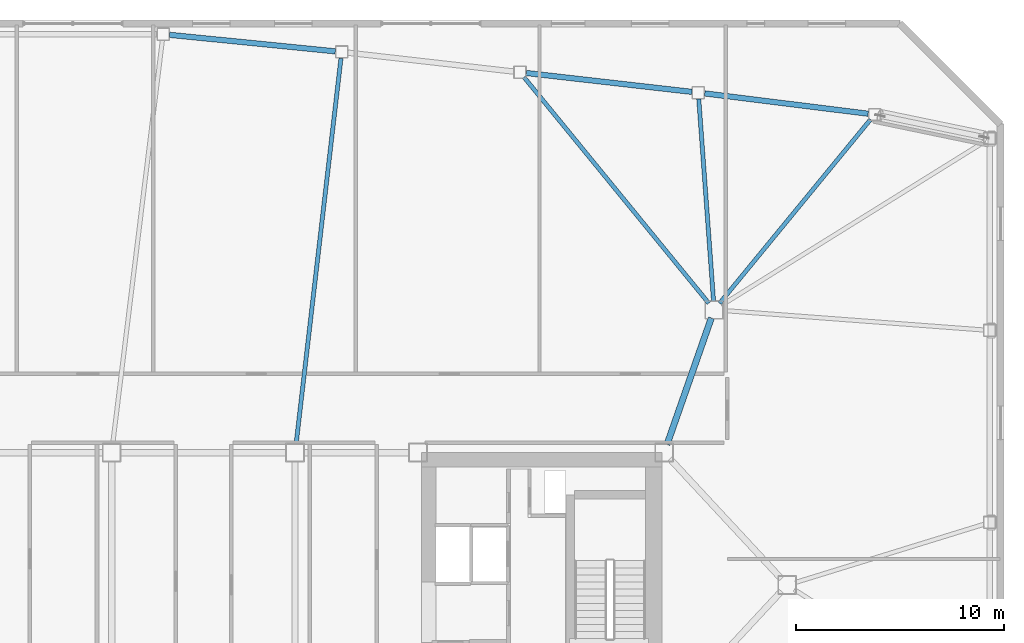
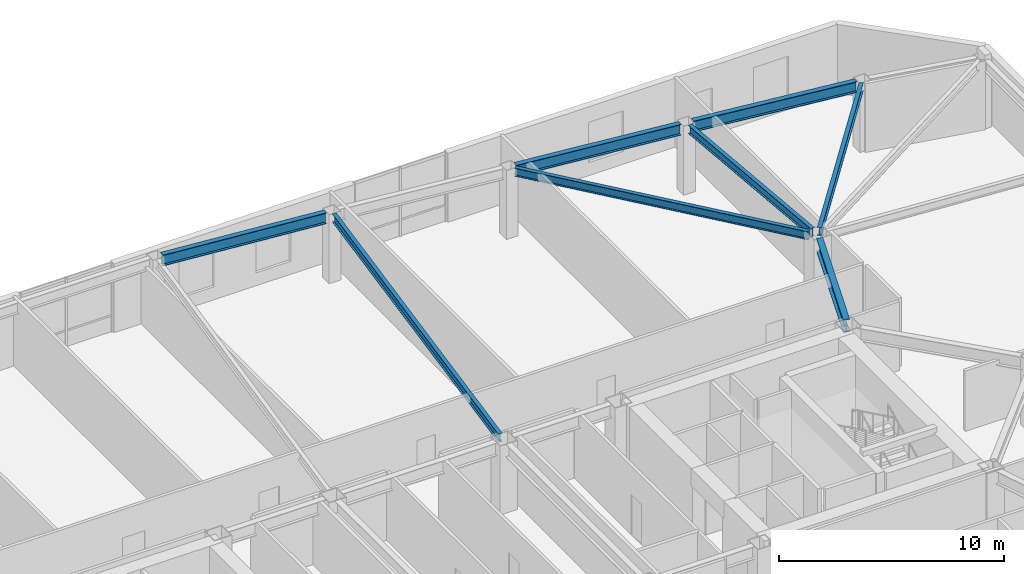
# One storey, part 6 of 16: 8 beams.
"""IFC4 building model written with IfcOpenShell, lengths in metres."""

from ifc_helpers import new_model, si_unit, direction, frame, origin, origin_2d, place, context, subcontext, project, spatial, i_section, extrude, material, material_profile, profile_set, type_object, element, save


model = new_model("IFC4")

# Units and contexts
model_context = context("Model", 3, precision=1e-05, world=origin(), true_north=direction((0.0, 1.0)))
body_context = subcontext(model_context, "Body", "Model", "MODEL_VIEW")
ifc_project = project(units=[si_unit("LENGTHUNIT", "METRE"), si_unit("AREAUNIT", "SQUARE_METRE"), si_unit("VOLUMEUNIT", "CUBIC_METRE"), si_unit("PLANEANGLEUNIT", "RADIAN"), si_unit("MASSUNIT", "GRAM", prefix="KILO")], contexts=[model_context])

# Site, building, storey
site_placement = place(None, origin())
site = spatial("IfcSite", under=ifc_project, at=site_placement, CompositionType="ELEMENT")
building_placement = place(site_placement, origin())
building = spatial("IfcBuilding", under=site, at=building_placement, Name="Tavrogorsk Clinical Tower", CompositionType="ELEMENT")
storey_placement = place(building_placement, frame((0.0, 0.0, 164.199951171875)))
storey = spatial("IfcBuildingStorey", under=building, at=storey_placement, Name="L37", CompositionType="ELEMENT", Elevation=164.199951171875)

# Beams
ifc_material_1 = material(Name="Structural steel S355", Category="steel")
ifc_material_profile_1 = material_profile(ifc_material_1, i_section(OverallWidth=0.199951171875, OverallDepth=0.449951171875, WebThickness=0.011474609375, FlangeThickness=0.01806640625, at=origin_2d()), Name="B-450x200x11.5x18")
ifc_profile_set_1 = profile_set([ifc_material_profile_1], Name="Structural steel S355")
beam_type_1 = type_object("IfcBeamType", Name="FloorBeam_B450", PredefinedType="BEAM", material=ifc_profile_set_1)
beam_1_placement = place(storey_placement, frame((24.76025390625, 13.516845703125, 3.51513671875), z_axis=(0.634632561694, 0.772814021377, 0.0), x_axis=(-0.772814021377, 0.634632561694, 0.0)))
element("IfcBeam", 1, at=beam_1_placement, inside=storey, type_object=beam_type_1, Name="L37 Radial Floor Beam N1", PredefinedType="BEAM", context=body_context, shape_type="SweptSolid", body=[
    extrude(i_section(OverallWidth=0.199951171875, OverallDepth=0.449951171875, WebThickness=0.011474609375, FlangeThickness=0.01806640625, at=origin_2d()), origin(), (0.0, 0.0, 1.0), 11.401123046875),
])
beam_2_placement = place(storey_placement, frame((24.469970703125, 13.60888671875, 3.51513671875), z_axis=(-0.072959198524, 0.997334926367, 0.0), x_axis=(-0.997334926367, -0.072959198524, 0.0)))
element("IfcBeam", 2, at=beam_2_placement, inside=storey, type_object=beam_type_1, Name="L37 Radial Floor Beam N2", PredefinedType="BEAM", context=body_context, shape_type="SweptSolid", body=[
    extrude(i_section(OverallWidth=0.199951171875, OverallDepth=0.449951171875, WebThickness=0.011474609375, FlangeThickness=0.01806640625, at=origin_2d()), origin(), (0.0, 0.0, 1.0), 9.7275390625),
])
beam_3_placement = place(storey_placement, frame((24.240478515625, 13.517333984375, 3.51513671875), z_axis=(-0.632957552123, 0.774186500277, 0.0), x_axis=(-0.774186500277, -0.632957552123, 0.0)))
element("IfcBeam", 3, at=beam_3_placement, inside=storey, type_object=beam_type_1, Name="L37 Radial Floor Beam N3", PredefinedType="BEAM", context=body_context, shape_type="SweptSolid", body=[
    extrude(i_section(OverallWidth=0.199951171875, OverallDepth=0.449951171875, WebThickness=0.011474609375, FlangeThickness=0.01806640625, at=origin_2d()), origin(), (0.0, 0.0, 1.0), 13.9970703125),
])
beam_4_placement = place(storey_placement, frame((4.447265625, 6.75732421875, 3.51513671875), z_axis=(0.115490633481, 0.993308569166, 0.0), x_axis=(-0.993308569166, 0.115490633481, 0.0)))
element("IfcBeam", 4, at=beam_4_placement, inside=storey, type_object=beam_type_1, Name="L37 Radial Floor Beam N4", PredefinedType="BEAM", context=body_context, shape_type="SweptSolid", body=[
    extrude(i_section(OverallWidth=0.199951171875, OverallDepth=0.449951171875, WebThickness=0.011474609375, FlangeThickness=0.01806640625, at=origin_2d()), origin(), (0.0, 0.0, 1.0), 18.628173828125),
])
ifc_material_2 = material(Name="Structural steel S390", Category="steel")
ifc_material_profile_2 = material_profile(ifc_material_2, i_section(OverallWidth=0.300048828125, OverallDepth=0.699951171875, WebThickness=0.01708984375, FlangeThickness=0.028076171875, at=origin_2d()), Name="B-700x300x17x28")
ifc_profile_set_2 = profile_set([ifc_material_profile_2], Name="Structural steel S390")
beam_type_2 = type_object("IfcBeamType", Name="PrimaryGirder_B700", PredefinedType="USERDEFINED", material=ifc_profile_set_2)
beam_5_placement = place(storey_placement, frame((24.364501953125, 12.81298828125, 3.39013671875), z_axis=(-0.330673031392, -0.94374538214, 0.0), x_axis=(0.94374538214, -0.330673031392, 0.0)))
element("IfcBeam", 5, at=beam_5_placement, inside=storey, type_object=beam_type_2, Name="L37 Spine Link Girder OPG-4", ObjectType="GIRDER", PredefinedType="USERDEFINED", context=body_context, shape_type="SweptSolid", body=[
    extrude(i_section(OverallWidth=0.300048828125, OverallDepth=0.699951171875, WebThickness=0.01708984375, FlangeThickness=0.028076171875, at=origin_2d()), origin(), (0.0, 0.0, 1.0), 6.43798828125),
])
ifc_material_3 = material(Name="Structural steel S390", Category="steel")
ifc_material_profile_3 = material_profile(ifc_material_3, i_section(OverallWidth=0.260009765625, OverallDepth=0.60009765625, WebThickness=0.014892578125, FlangeThickness=0.02392578125, at=origin_2d()), Name="B-600x260x15x24")
ifc_profile_set_3 = profile_set([ifc_material_profile_3], Name="Structural steel S390")
beam_type_3 = type_object("IfcBeamType", Name="SpandrelBeam_B600", PredefinedType="SPANDREL", material=ifc_profile_set_3)
beam_6_placement = place(storey_placement, frame((31.8857421875, 22.60400390625, 3.43994140625), z_axis=(-0.992347112015, 0.123479590521, 0.0), x_axis=(-0.123479590521, -0.992347112015, 0.0)))
element("IfcBeam", 6, at=beam_6_placement, inside=storey, type_object=beam_type_3, Name="L37 Perimeter Spandrel N1-N2", PredefinedType="SPANDREL", context=body_context, shape_type="SweptSolid", body=[
    extrude(i_section(OverallWidth=0.260009765625, OverallDepth=0.60009765625, WebThickness=0.014892578125, FlangeThickness=0.02392578125, at=origin_2d()), origin(), (0.0, 0.0, 1.0), 7.90283203125),
])
beam_7_placement = place(storey_placement, frame((23.431884765625, 23.652587890625, 3.43994140625), z_axis=(-0.993569841398, 0.113220891465, 0.0), x_axis=(-0.113220891465, -0.993569841398, 0.0)))
element("IfcBeam", 7, at=beam_7_placement, inside=storey, type_object=beam_type_3, Name="L37 Perimeter Spandrel N2-N3", PredefinedType="SPANDREL", context=body_context, shape_type="SweptSolid", body=[
    extrude(i_section(OverallWidth=0.260009765625, OverallDepth=0.60009765625, WebThickness=0.014892578125, FlangeThickness=0.02392578125, at=origin_2d()), origin(), (0.0, 0.0, 1.0), 7.9912109375),
])
beam_8_placement = place(storey_placement, frame((6.32763671875, 25.59716796875, 3.43994140625), z_axis=(-0.995074624158, 0.099128665666, 0.0), x_axis=(-0.099128665666, -0.995074624158, 0.0)))
element("IfcBeam", 8, at=beam_8_placement, inside=storey, type_object=beam_type_3, Name="L37 Perimeter Spandrel N4-N5", PredefinedType="SPANDREL", context=body_context, shape_type="SweptSolid", body=[
    extrude(i_section(OverallWidth=0.260009765625, OverallDepth=0.60009765625, WebThickness=0.014892578125, FlangeThickness=0.02392578125, at=origin_2d()), origin(), (0.0, 0.0, 1.0), 7.991943359375),
])

save(model, "model.ifc")
